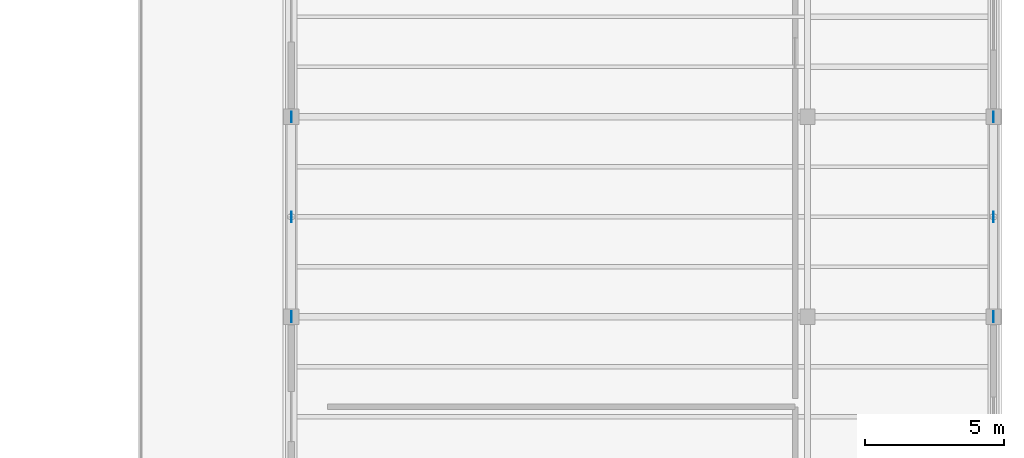
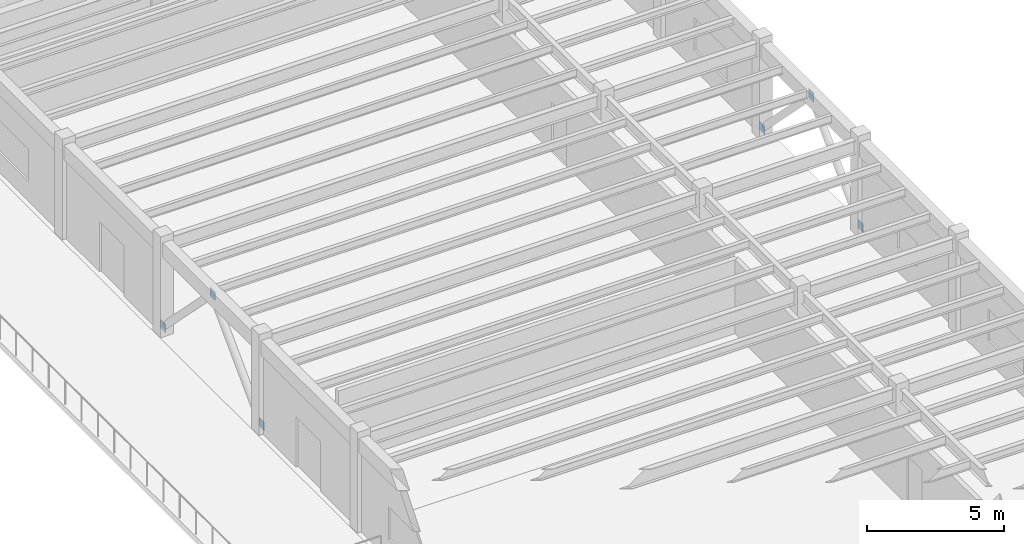
# One storey, part 67 of 85: 6 plates.
"""IFC4 building model written with IfcOpenShell, lengths in metres."""

from ifc_helpers import new_model, si_unit, direction, frame, origin, origin_2d, place, context, subcontext, project, spatial, rectangle, extrude, material, layer, layer_set, type_object, element, save


model = new_model("IFC4")

# Units and contexts
model_context = context("Model", 3, precision=1e-05, world=origin(), true_north=direction((0.0, 1.0)))
body_context = subcontext(model_context, "Body", "Model", "MODEL_VIEW")
ifc_project = project(units=[si_unit("LENGTHUNIT", "METRE"), si_unit("AREAUNIT", "SQUARE_METRE"), si_unit("VOLUMEUNIT", "CUBIC_METRE"), si_unit("PLANEANGLEUNIT", "RADIAN"), si_unit("MASSUNIT", "GRAM", prefix="KILO")], contexts=[model_context])

# Site, building, storey
site_placement = place(None, origin())
site = spatial("IfcSite", under=ifc_project, at=site_placement, CompositionType="ELEMENT")
building_placement = place(site_placement, origin())
building = spatial("IfcBuilding", under=site, at=building_placement, Name="Candilejo Ridge Gondola Terminal", CompositionType="ELEMENT")
storey_placement = place(building_placement, frame((0.0, 0.0, 4.5)))
storey = spatial("IfcBuildingStorey", under=building, at=storey_placement, Name="L01", CompositionType="ELEMENT", Elevation=4.5)

# Plates
ifc_material = material(Name="Steel ASTM A572 Grade 50", Category="steel")
ifc_layer = layer(ifc_material, 0.02001953125)
ifc_layer_set = layer_set([ifc_layer], Name="STR-NODE-PLATE-380X380X20")
plate_type = type_object("IfcPlateType", Name="STR-NODE-PLATE-380X380X20", PredefinedType="USERDEFINED", material=ifc_layer_set)
for number, where, z_axis, x_axis, name in (
    (1, (150.0, 81.050048828125, 3.699951171875), (0.0, 0.0, 1.0), (1.0, 0.0, 0.0), "Chevron gusset plate 236"),
    (2, (150.0, 77.449951171875, 0.06005859375), (0.0, 0.0, 1.0), (1.0, 0.0, 0.0), "Chevron gusset plate 237"),
    (3, (150.0, 84.64990234375, 0.06005859375), (0.0, 0.0, 1.0), (1.0, 0.0, 0.0), "Chevron gusset plate 238"),
    (4, (175.300048828125, 81.050048828125, 3.699951171875), (0.0, 0.0, 1.0), (1.0, 0.0, 0.0), "Chevron gusset plate 247"),
    (5, (175.300048828125, 77.449951171875, 0.06005859375), (0.0, 0.0, 1.0), (1.0, 0.0, 0.0), "Chevron gusset plate 248"),
    (6, (175.300048828125, 84.64990234375, 0.06005859375), (0.0, 0.0, 1.0), (1.0, 0.0, 0.0), "Chevron gusset plate 249"),
):
    element("IfcPlate", number, at=place(storey_placement, frame(where, z_axis=z_axis, x_axis=x_axis)), inside=storey, type_object=plate_type, Name=name, ObjectType="NODE PLATE", PredefinedType="USERDEFINED", context=body_context, shape_type="SweptSolid", body=[
        extrude(rectangle(XDim=0.02001953125, YDim=0.3798828125, at=origin_2d()), origin(), (0.0, 0.0, 1.0), 0.3798828125),
    ])

save(model, "model.ifc")
